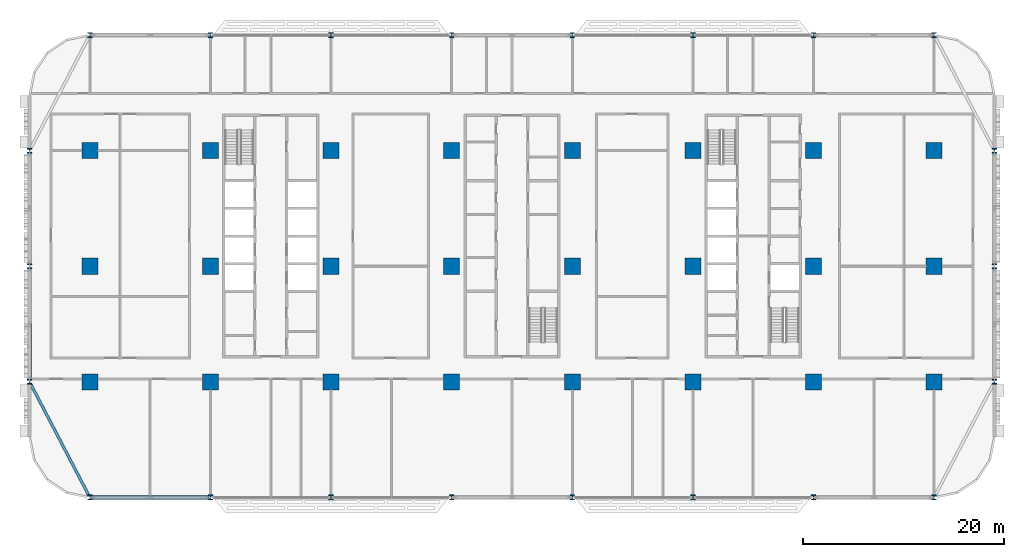
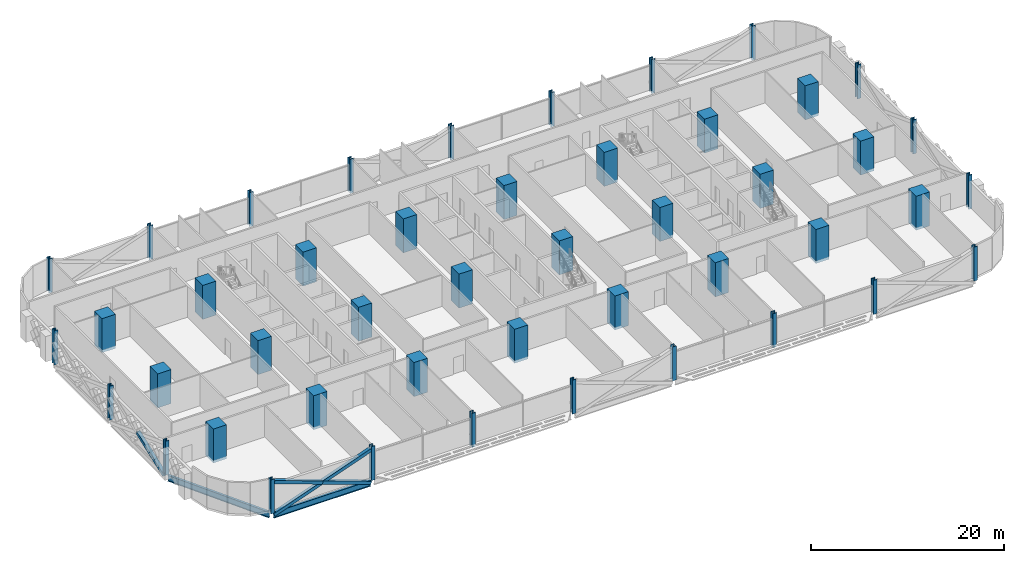
# One storey, part 1 of 29: 46 columns, 4 members, 2 beams.
"""IFC4 building model written with IfcOpenShell, lengths in metres."""

from ifc_helpers import new_model, si_unit, direction, frame, origin, origin_2d, place, context, subcontext, project, spatial, rectangle, hollow_rectangle, i_section, extrude, material, material_profile, profile_set, type_object, element, save


model = new_model("IFC4")

# Units and contexts
model_context = context("Model", 3, precision=1e-05, world=origin(), true_north=direction((0.0, 1.0)))
body_context = subcontext(model_context, "Body", "Model", "MODEL_VIEW")
ifc_project = project(units=[si_unit("LENGTHUNIT", "METRE"), si_unit("AREAUNIT", "SQUARE_METRE"), si_unit("VOLUMEUNIT", "CUBIC_METRE"), si_unit("PLANEANGLEUNIT", "RADIAN"), si_unit("MASSUNIT", "GRAM", prefix="KILO")], contexts=[model_context])

# Site, building, storey
site_placement = place(None, origin())
site = spatial("IfcSite", under=ifc_project, at=site_placement, CompositionType="ELEMENT")
building_placement = place(site_placement, origin())
building = spatial("IfcBuilding", under=site, at=building_placement, Name="Mahtab Terrace Research Tower", CompositionType="ELEMENT")
storey_placement = place(building_placement, frame((0.0, 0.0, 20.10009765625)))
storey = spatial("IfcBuildingStorey", under=building, at=storey_placement, Name="L04", CompositionType="ELEMENT", Elevation=20.10009765625)

# Columns
ifc_material_1 = material(Name="Concrete C70/85", Category="concrete")
ifc_material_profile_1 = material_profile(ifc_material_1, rectangle(XDim=1.60009765625, YDim=1.60009765625, at=origin_2d()), Name="RC column 1600x1600")
ifc_profile_set_1 = profile_set([ifc_material_profile_1], Name="Concrete C70/85")
column_type_1 = type_object("IfcColumnType", Name="RC column 1600x1600", PredefinedType="COLUMN", material=ifc_profile_set_1)
for number, where, z_axis, x_axis, name in (
    (1, (-42.0, -11.5, -0.340087890625), (0.0, 0.0, 1.0), (1.0, 0.0, 0.0), "Column RC-1A L04"),
    (2, (-42.0, 0.0, -0.340087890625), (0.0, 0.0, 1.0), (1.0, 0.0, 0.0), "Column RC-1B L04"),
    (3, (-42.0, 11.5, -0.340087890625), (0.0, 0.0, 1.0), (1.0, 0.0, 0.0), "Column RC-1C L04"),
    (4, (-30.0, -11.5, -0.340087890625), (0.0, 0.0, 1.0), (1.0, 0.0, 0.0), "Column RC-2A L04"),
    (5, (-30.0, 0.0, -0.340087890625), (0.0, 0.0, 1.0), (1.0, 0.0, 0.0), "Column RC-2B L04"),
    (6, (-30.0, 11.5, -0.340087890625), (0.0, 0.0, 1.0), (1.0, 0.0, 0.0), "Column RC-2C L04"),
    (7, (-18.0, -11.5, -0.340087890625), (0.0, 0.0, 1.0), (1.0, 0.0, 0.0), "Column RC-3A L04"),
    (8, (-18.0, 0.0, -0.340087890625), (0.0, 0.0, 1.0), (1.0, 0.0, 0.0), "Column RC-3B L04"),
    (9, (-18.0, 11.5, -0.340087890625), (0.0, 0.0, 1.0), (1.0, 0.0, 0.0), "Column RC-3C L04"),
    (10, (-6.0, -11.5, -0.340087890625), (0.0, 0.0, 1.0), (1.0, 0.0, 0.0), "Column RC-4A L04"),
    (11, (-6.0, 0.0, -0.340087890625), (0.0, 0.0, 1.0), (1.0, 0.0, 0.0), "Column RC-4B L04"),
    (12, (-6.0, 11.5, -0.340087890625), (0.0, 0.0, 1.0), (1.0, 0.0, 0.0), "Column RC-4C L04"),
    (13, (6.0, -11.5, -0.340087890625), (0.0, 0.0, 1.0), (1.0, 0.0, 0.0), "Column RC-5A L04"),
    (14, (6.0, 0.0, -0.340087890625), (0.0, 0.0, 1.0), (1.0, 0.0, 0.0), "Column RC-5B L04"),
    (15, (6.0, 11.5, -0.340087890625), (0.0, 0.0, 1.0), (1.0, 0.0, 0.0), "Column RC-5C L04"),
    (16, (18.0, -11.5, -0.340087890625), (0.0, 0.0, 1.0), (1.0, 0.0, 0.0), "Column RC-6A L04"),
    (17, (18.0, 0.0, -0.340087890625), (0.0, 0.0, 1.0), (1.0, 0.0, 0.0), "Column RC-6B L04"),
    (18, (18.0, 11.5, -0.340087890625), (0.0, 0.0, 1.0), (1.0, 0.0, 0.0), "Column RC-6C L04"),
    (19, (30.0, -11.5, -0.340087890625), (0.0, 0.0, 1.0), (1.0, 0.0, 0.0), "Column RC-7A L04"),
    (20, (30.0, 0.0, -0.340087890625), (0.0, 0.0, 1.0), (1.0, 0.0, 0.0), "Column RC-7B L04"),
    (21, (30.0, 11.5, -0.340087890625), (0.0, 0.0, 1.0), (1.0, 0.0, 0.0), "Column RC-7C L04"),
    (22, (42.0, -11.5, -0.340087890625), (0.0, 0.0, 1.0), (1.0, 0.0, 0.0), "Column RC-8A L04"),
    (23, (42.0, 0.0, -0.340087890625), (0.0, 0.0, 1.0), (1.0, 0.0, 0.0), "Column RC-8B L04"),
    (24, (42.0, 11.5, -0.340087890625), (0.0, 0.0, 1.0), (1.0, 0.0, 0.0), "Column RC-8C L04"),
):
    element("IfcColumn", number, at=place(storey_placement, frame(where, z_axis=z_axis, x_axis=x_axis)), inside=storey, type_object=column_type_1, Name=name, PredefinedType="COLUMN", context=body_context, shape_type="SweptSolid", body=[
        extrude(rectangle(XDim=1.60009765625, YDim=1.60009765625, at=origin_2d()), origin(), (0.0, 0.0, 1.0), 4.300048828125),
    ])
ifc_material_2 = material(Name="Steel ASTM A992 Gr 50", Category="steel")
ifc_material_profile_2 = material_profile(ifc_material_2, i_section(OverallWidth=0.431884765625, OverallDepth=0.497802734375, WebThickness=0.0556640625, FlangeThickness=0.0888671875, at=origin_2d()), Name="W14X500")
ifc_profile_set_2 = profile_set([ifc_material_profile_2], Name="Steel ASTM A992 Gr 50")
column_type_2 = type_object("IfcColumnType", Name="W14x500 column CS14500", PredefinedType="COLUMN", material=ifc_profile_set_2)
for number, where, z_axis, x_axis, name in (
    (25, (42.0, 23.0, -0.340087890625), (0.0, 0.0, 1.0), (1.0, 0.0, 0.0), "Column SC-001 L04"),
    (26, (30.0, 23.0, -0.340087890625), (0.0, 0.0, 1.0), (1.0, 0.0, 0.0), "Column SC-002 L04"),
    (27, (18.0, 23.0, -0.340087890625), (0.0, 0.0, 1.0), (1.0, 0.0, 0.0), "Column SC-003 L04"),
    (28, (6.0, 23.0, -0.340087890625), (0.0, 0.0, 1.0), (1.0, 0.0, 0.0), "Column SC-004 L04"),
    (29, (-6.0, 23.0, -0.340087890625), (0.0, 0.0, 1.0), (1.0, 0.0, 0.0), "Column SC-005 L04"),
    (30, (-18.0, 23.0, -0.340087890625), (0.0, 0.0, 1.0), (1.0, 0.0, 0.0), "Column SC-006 L04"),
    (31, (-30.0, 23.0, -0.340087890625), (0.0, 0.0, 1.0), (1.0, 0.0, 0.0), "Column SC-007 L04"),
    (32, (-42.0, 23.0, -0.340087890625), (0.0, 0.0, 1.0), (1.0, 0.0, 0.0), "Column SC-008 L04"),
    (33, (-48.0, 11.5, -0.340087890625), (0.0, 0.0, 1.0), (1.0, 0.0, 0.0), "Column SC-009 L04"),
    (34, (-48.0, 0.0, -0.340087890625), (0.0, 0.0, 1.0), (1.0, 0.0, 0.0), "Column SC-010 L04"),
    (35, (-48.0, -11.5, -0.340087890625), (0.0, 0.0, 1.0), (1.0, 0.0, 0.0), "Column SC-011 L04"),
    (36, (-42.0, -23.0, -0.340087890625), (0.0, 0.0, 1.0), (1.0, 0.0, 0.0), "Column SC-012 L04"),
    (37, (-30.0, -23.0, -0.340087890625), (0.0, 0.0, 1.0), (1.0, 0.0, 0.0), "Column SC-013 L04"),
    (38, (-18.0, -23.0, -0.340087890625), (0.0, 0.0, 1.0), (1.0, 0.0, 0.0), "Column SC-014 L04"),
    (39, (-6.0, -23.0, -0.340087890625), (0.0, 0.0, 1.0), (1.0, 0.0, 0.0), "Column SC-015 L04"),
    (40, (6.0, -23.0, -0.340087890625), (0.0, 0.0, 1.0), (1.0, 0.0, 0.0), "Column SC-016 L04"),
    (41, (18.0, -23.0, -0.340087890625), (0.0, 0.0, 1.0), (1.0, 0.0, 0.0), "Column SC-017 L04"),
    (42, (30.0, -23.0, -0.340087890625), (0.0, 0.0, 1.0), (1.0, 0.0, 0.0), "Column SC-018 L04"),
    (43, (42.0, -23.0, -0.340087890625), (0.0, 0.0, 1.0), (1.0, 0.0, 0.0), "Column SC-019 L04"),
    (44, (48.0, -11.5, -0.340087890625), (0.0, 0.0, 1.0), (1.0, 0.0, 0.0), "Column SC-020 L04"),
    (45, (48.0, 0.0, -0.340087890625), (0.0, 0.0, 1.0), (1.0, 0.0, 0.0), "Column SC-021 L04"),
    (46, (48.0, 11.5, -0.340087890625), (0.0, 0.0, 1.0), (1.0, 0.0, 0.0), "Column SC-022 L04"),
):
    element("IfcColumn", number, at=place(storey_placement, frame(where, z_axis=z_axis, x_axis=x_axis)), inside=storey, type_object=column_type_2, Name=name, PredefinedType="COLUMN", context=body_context, shape_type="SweptSolid", body=[
        extrude(i_section(OverallWidth=0.431884765625, OverallDepth=0.497802734375, WebThickness=0.0556640625, FlangeThickness=0.0888671875, at=origin_2d()), origin(), (0.0, 0.0, 1.0), 4.300048828125),
    ])

# Members
ifc_material_3 = material(Name="Steel ASTM A500 Gr C", Category="steel")
ifc_material_profile_3 = material_profile(ifc_material_3, hollow_rectangle(XDim=0.406494140625, YDim=0.406494140625, WallThickness=0.01904296875, at=origin_2d()), Name="HSS16X16X3/4")
ifc_profile_set_3 = profile_set([ifc_material_profile_3], Name="Steel ASTM A500 Gr C")
member_type = type_object("IfcMemberType", Name="HSS 16x16x3/4 brace XB161634", PredefinedType="BRACE", material=ifc_profile_set_3)
member_1_placement = place(storey_placement, frame((-48.0, -11.251220703125, -0.62548828125), z_axis=(0.0, 0.936668691391, 0.350216736563), x_axis=(-1.0, 0.0, 0.0)))
element("IfcMember", 47, at=member_1_placement, inside=storey, type_object=member_type, Name="Exoskeleton brace L04 10 b1", PredefinedType="BRACE", context=body_context, shape_type="SweptSolid", body=[
    extrude(hollow_rectangle(XDim=0.406494140625, YDim=0.406494140625, WallThickness=0.01904296875, at=origin_2d()), origin(), (0.0, 0.0, 1.0), 5.873291015625),
])
member_2_placement = place(storey_placement, frame((-41.7841796875, -23.0, -0.64111328125), z_axis=(0.941388097231, 0.0, 0.337325436917), x_axis=(0.0, 1.0, 0.0)))
element("IfcMember", 48, at=member_2_placement, inside=storey, type_object=member_type, Name="Exoskeleton brace L04 12 a", PredefinedType="BRACE", context=body_context, shape_type="SweptSolid", body=[
    extrude(hollow_rectangle(XDim=0.406494140625, YDim=0.406494140625, WallThickness=0.01904296875, at=origin_2d()), origin(), (0.0, 0.0, 1.0), 12.28857421875),
])
for number, where, z_axis, x_axis, name in (
    (49, (-30.2158203125, -23.0, -0.64111328125), (-0.941394406025, 0.0, 0.337307830185), (0.0, -1.0, 0.0), "Exoskeleton brace L04 12 b1"),
    (50, (-36.0, -23.0, 1.431396484375), (-0.941381788192, 0.0, 0.337343043295), (0.0, -1.0, 0.0), "Exoskeleton brace L04 12 b2"),
):
    element("IfcMember", number, at=place(storey_placement, frame(where, z_axis=z_axis, x_axis=x_axis)), inside=storey, type_object=member_type, Name=name, PredefinedType="BRACE", context=body_context, shape_type="SweptSolid", body=[
        extrude(hollow_rectangle(XDim=0.406494140625, YDim=0.406494140625, WallThickness=0.01904296875, at=origin_2d()), origin(), (0.0, 0.0, 1.0), 6.144287109375),
    ])

# Beams
ifc_material_profile_4 = material_profile(ifc_material_2, i_section(OverallWidth=0.2666015625, OverallDepth=0.7568359375, WebThickness=0.013916015625, FlangeThickness=0.019287109375, at=origin_2d()), Name="W30X108")
ifc_profile_set_4 = profile_set([ifc_material_profile_4], Name="Steel ASTM A992 Gr 50")
beam_type = type_object("IfcBeamType", Name="W30x108 beam BS30108", PredefinedType="BEAM", material=ifc_profile_set_4)
beam_1_placement = place(storey_placement, frame((-47.8701171875, -11.748779296875, -0.718505859375), z_axis=(0.462555249274, -0.88659045865, 0.0), x_axis=(0.88659045865, 0.462555249274, 0.0)))
element("IfcBeam", 51, at=beam_1_placement, inside=storey, type_object=beam_type, Name="Spandrel beam L04 11", PredefinedType="BEAM", context=body_context, shape_type="SweptSolid", body=[
    extrude(i_section(OverallWidth=0.2666015625, OverallDepth=0.7568359375, WebThickness=0.013916015625, FlangeThickness=0.019287109375, at=origin_2d()), origin(), (0.0, 0.0, 1.0), 12.409912109375),
])
beam_2_placement = place(storey_placement, frame((-41.7841796875, -23.0, -0.718505859375), z_axis=(1.0, 0.0, 0.0), x_axis=(0.0, 1.0, 0.0)))
element("IfcBeam", 52, at=beam_2_placement, inside=storey, type_object=beam_type, Name="Spandrel beam L04 12", PredefinedType="BEAM", context=body_context, shape_type="SweptSolid", body=[
    extrude(i_section(OverallWidth=0.2666015625, OverallDepth=0.7568359375, WebThickness=0.013916015625, FlangeThickness=0.019287109375, at=origin_2d()), origin(), (0.0, 0.0, 1.0), 11.568359375),
])

save(model, "model.ifc")
